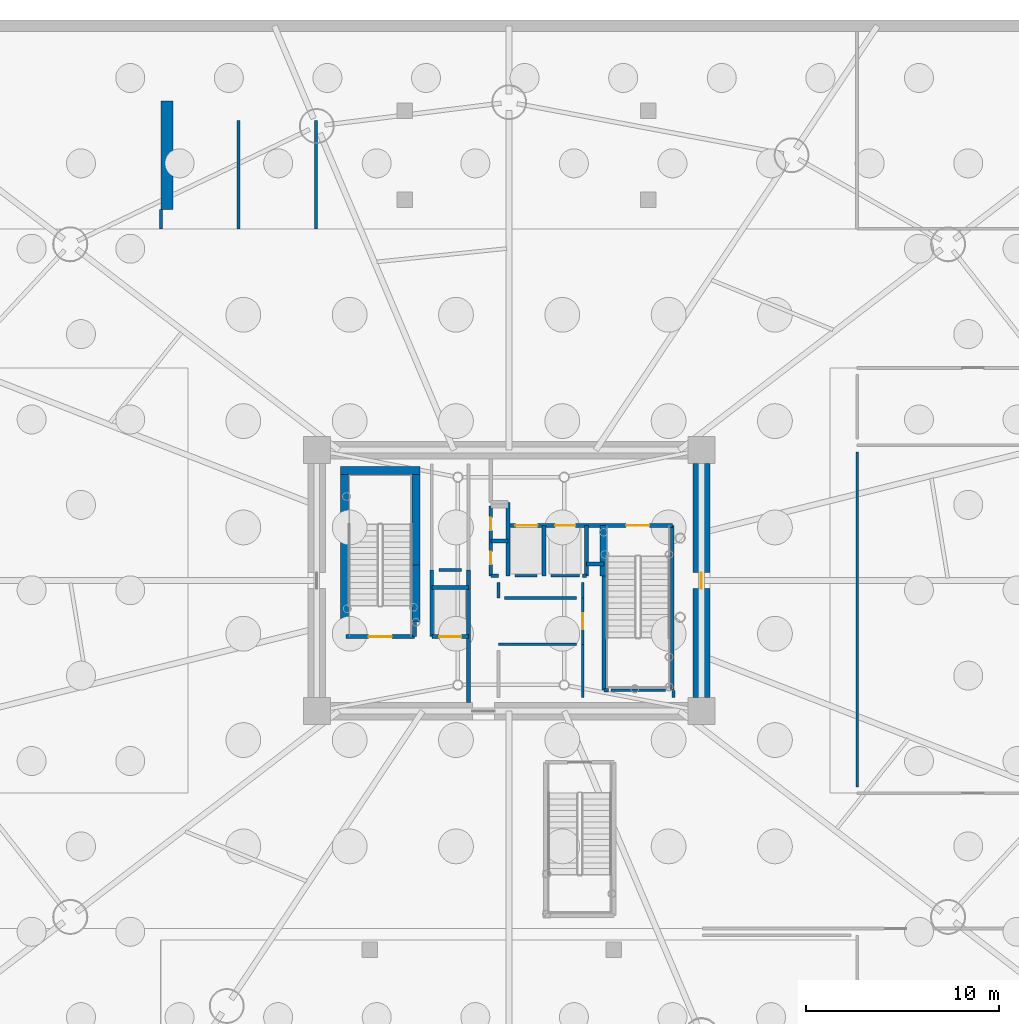
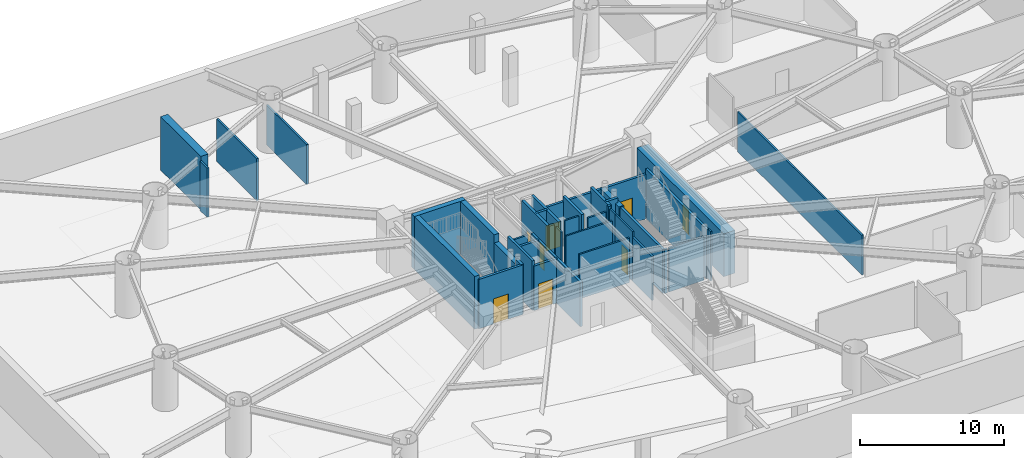
# One storey, part 10 of 18: 40 walls, 9 doors, 9 openings.
"""IFC4 building model written with IfcOpenShell, lengths in metres."""

import ifcopenshell
import ifcopenshell.guid

model = None  # the IFC model being written
_history = None  # IfcOwnerHistory: only IFC2X3 demands one
_inside = {}  # id of a spatial element -> (the spatial element, [elements in it])
_under = {}  # id of a project, library or spatial element -> (it, [spatial elements below it])
_declared = {}  # id of a project -> (the project, [libraries it declares])
_typed = {}  # id of a type object -> (the type object, [elements of that type])
_made_of = {}  # id of a material, layer set ... -> (it, [elements and type objects made of it])


def new_model(schema):
    """Start an empty IFC model of exactly this schema.

    Asked for "IFC4X3", IfcOpenShell would pick the latest addendum, in which some entities
    have other attributes; the version numbers below select the first issue.
    IFC2X3 requires an IfcOwnerHistory on every rooted entity: one is made here for all.
    """
    global model, _history
    if schema == "IFC4X3":
        model = ifcopenshell.file(schema_version=(4, 3, 0, 0))
    else:
        model = ifcopenshell.file(schema=schema)
    _inside.clear()
    _under.clear()
    _declared.clear()
    _typed.clear()
    _made_of.clear()
    _history = None
    if model.schema == "IFC2X3":
        org = make("IfcOrganization", Name="unknown")
        user = make(
            "IfcPersonAndOrganization",
            ThePerson=make("IfcPerson", FamilyName="unknown"),
            TheOrganization=org,
        )
        app = make(
            "IfcApplication",
            ApplicationDeveloper=org,
            Version="unknown",
            ApplicationFullName="unknown",
            ApplicationIdentifier="unknown",
        )
        _history = make(
            "IfcOwnerHistory",
            OwningUser=user,
            OwningApplication=app,
            ChangeAction="ADDED",
            CreationDate=0,
        )
    return model


def make(cls, **values):
    """One entity of the class cls with the attributes given. An attribute that is None is left unset."""
    return model.create_entity(
        cls, **{name: value for name, value in values.items() if value is not None}
    )


def rooted(cls, **values):
    """An entity with a GlobalId (a new one), such as an element, a storey or a relation."""
    return make(cls, GlobalId=ifcopenshell.guid.new(), OwnerHistory=_history, **values)


def si_unit(unit_type, name, prefix=None):
    """IfcSIUnit, for example si_unit("LENGTHUNIT", "METRE", prefix="MILLI")."""
    return make("IfcSIUnit", UnitType=unit_type, Prefix=prefix, Name=name)


def assignment(units):
    """IfcUnitAssignment: the units of a project."""
    return None if units is None else make("IfcUnitAssignment", Units=units)


def point(xyz):
    """IfcCartesianPoint."""
    return None if xyz is None else make("IfcCartesianPoint", Coordinates=xyz)


def direction(xyz):
    """IfcDirection."""
    return None if xyz is None else make("IfcDirection", DirectionRatios=xyz)


def frame(location, z_axis=None, x_axis=None):
    """IfcAxis2Placement3D, a coordinate frame: its origin and axes. An axis left out is left unset."""
    return make(
        "IfcAxis2Placement3D",
        Location=point(location),
        Axis=direction(z_axis),
        RefDirection=direction(x_axis),
    )


def frame_2d(location, x_axis=None):
    """IfcAxis2Placement2D, a coordinate frame in the plane: its origin and x axis."""
    return make(
        "IfcAxis2Placement2D", Location=point(location), RefDirection=direction(x_axis)
    )


def origin():
    """The frame at (0, 0, 0) with its axes left unset."""
    return frame((0.0, 0.0, 0.0))


def origin_2d():
    """The frame at (0, 0) in the plane with its x axis left unset."""
    return frame_2d((0.0, 0.0))


def place(relative_to, where):
    """IfcLocalPlacement: puts the frame where relative to a parent placement (None: the world)."""
    return make(
        "IfcLocalPlacement", PlacementRelTo=relative_to, RelativePlacement=where
    )


def context(
    kind, dimensions, precision=None, world=None, true_north=None, identifier=None
):
    """IfcGeometricRepresentationContext, for example the 3D "Model" context."""
    return make(
        "IfcGeometricRepresentationContext",
        ContextIdentifier=identifier,
        ContextType=kind,
        CoordinateSpaceDimension=dimensions,
        Precision=precision,
        WorldCoordinateSystem=world,
        TrueNorth=true_north,
    )


def subcontext(parent, identifier, kind, view, scale=None):
    """IfcGeometricRepresentationSubContext, for example "Body" below "Model"."""
    return make(
        "IfcGeometricRepresentationSubContext",
        ContextIdentifier=identifier,
        ContextType=kind,
        ParentContext=parent,
        TargetScale=scale,
        TargetView=view,
    )


def project(units=None, contexts=None):
    """IfcProject with its units and contexts."""
    return rooted(
        "IfcProject",
        Name="project",
        RepresentationContexts=contexts,
        UnitsInContext=assignment(units),
    )


def spatial(cls, under=None, at=None, **own):
    """A site, building, storey or space (cls), placed at a placement, below another one or the project."""
    s = rooted(cls, ObjectPlacement=at, **own)
    if under is not None:
        _under.setdefault(under.id(), (under, []))[1].append(s)
    return s


def profile(cls, at=None, kind="AREA", **sizes):
    """A parametric profile (cls). Its sizes go by their IFC names, for example OverallWidth=200.0."""
    return make(cls, ProfileType=kind, Position=at, **sizes)


def rectangle(**sizes):
    """IfcRectangleProfileDef."""
    return profile("IfcRectangleProfileDef", **sizes)


def extrude(swept, where, along, depth):
    """IfcExtrudedAreaSolid: the profile swept, set in the frame where, extruded along a direction by depth."""
    return make(
        "IfcExtrudedAreaSolid",
        SweptArea=swept,
        Position=where,
        ExtrudedDirection=direction(along),
        Depth=depth,
    )


def shape(context_of_items, identifier, shape_type, items):
    """IfcShapeRepresentation: the items that make up one representation, for example the "Body"."""
    return make(
        "IfcShapeRepresentation",
        ContextOfItems=context_of_items,
        RepresentationIdentifier=identifier,
        RepresentationType=shape_type,
        Items=items,
    )


def source(mapping_origin, context_of_items, identifier, shape_type, items):
    """IfcRepresentationMap: a shape defined once, which mapped items show again and again."""
    return make(
        "IfcRepresentationMap",
        MappingOrigin=mapping_origin,
        MappedRepresentation=shape(context_of_items, identifier, shape_type, items),
    )


def transform(
    local_origin,
    x_axis=None,
    y_axis=None,
    z_axis=None,
    scale=None,
    scale2=None,
    scale3=None,
    uniform=True,
):
    """IfcCartesianTransformationOperator3D, or its non-uniform kind. x_axis, y_axis, z_axis: its Axis1, 2, 3."""
    if uniform:
        return make(
            "IfcCartesianTransformationOperator3D",
            Axis1=direction(x_axis),
            Axis2=direction(y_axis),
            LocalOrigin=point(local_origin),
            Scale=scale,
            Axis3=direction(z_axis),
        )
    return make(
        "IfcCartesianTransformationOperator3DnonUniform",
        Axis1=direction(x_axis),
        Axis2=direction(y_axis),
        LocalOrigin=point(local_origin),
        Scale=scale,
        Axis3=direction(z_axis),
        Scale2=scale2,
        Scale3=scale3,
    )


def mapped(mapping_source, mapping_target):
    """IfcMappedItem: shows the shape of a source again, moved by a transform."""
    return make(
        "IfcMappedItem", MappingSource=mapping_source, MappingTarget=mapping_target
    )


def material(Name=None, Category=None):
    """IfcMaterial."""
    return make("IfcMaterial", Name=Name, Category=Category)


def layer(
    of_material, thickness, ventilated=None, Name=None, Category=None, Priority=None
):
    """IfcMaterialLayer: one layer of a wall or slab, of a material (None: an air gap)."""
    return make(
        "IfcMaterialLayer",
        Material=of_material,
        LayerThickness=thickness,
        IsVentilated=ventilated,
        Name=Name,
        Category=Category,
        Priority=Priority,
    )


def layer_set(layers, Name=None):
    """IfcMaterialLayerSet."""
    return make("IfcMaterialLayerSet", MaterialLayers=layers, LayerSetName=Name)


def made_of(thing, what):
    """Note that an element or type object is made of a material, layer set ...; save() writes the relation."""
    if what is not None:
        _made_of.setdefault(what.id(), (what, []))[1].append(thing)
    return thing


def type_object(cls, material=None, **own):
    """A type object (cls), such as IfcWallType, which elements share."""
    return made_of(rooted(cls, **own), material)


def element(
    cls,
    number,
    at=None,
    inside=None,
    cuts=None,
    type_object=None,
    material=None,
    context=None,
    identifier="Body",
    shape_type=None,
    held_by="IfcProductDefinitionShape",
    body=None,
    shapes=None,
    **own,
):
    """One element of the class cls, such as IfcWall. Its Tag is "e" and its number.

    at: its placement. inside: the storey or other place that contains it. cuts: it is an
    opening in that element (IfcRelVoidsElement). A single representation is given by context,
    identifier, shape_type and body (its items); several are given by shapes. held_by: the class
    of the entity that holds the representations. save() writes the other relations.
    """
    e = rooted(cls, Tag="e%d" % number, ObjectPlacement=at, **own)
    if body is not None:
        shapes = [shape(context, identifier, shape_type, body)]
    if shapes is not None:
        e.Representation = make(held_by, Representations=shapes)
    if inside is not None:
        _inside.setdefault(inside.id(), (inside, []))[1].append(e)
    if cuts is not None:
        rooted(
            "IfcRelVoidsElement", RelatingBuildingElement=cuts, RelatedOpeningElement=e
        )
    if type_object is not None:
        _typed.setdefault(type_object.id(), (type_object, []))[1].append(e)
    return made_of(e, material)


def fill(opening, filler):
    """IfcRelFillsElement: the door or window that sits in an opening."""
    return rooted(
        "IfcRelFillsElement",
        RelatingOpeningElement=opening,
        RelatedBuildingElement=filler,
    )


def aggregate(whole, parts):
    """IfcRelAggregates: a whole, such as a stair, and the parts it consists of."""
    return rooted("IfcRelAggregates", RelatingObject=whole, RelatedObjects=parts)


def save(model, path):
    """Write the relations noted so far, then the file.

    IfcRelAggregates (storeys below a building ...), IfcRelContainedInSpatialStructure (elements
    in a storey), IfcRelDefinesByType, IfcRelAssociatesMaterial and IfcRelDeclares: one each for
    every whole, place, type object, material and project.
    """
    for whole, parts in _under.values():
        aggregate(whole, parts)
    for where, things in _inside.values():
        rooted(
            "IfcRelContainedInSpatialStructure",
            RelatedElements=things,
            RelatingStructure=where,
        )
    for kind, things in _typed.values():
        rooted("IfcRelDefinesByType", RelatedObjects=things, RelatingType=kind)
    for what, things in _made_of.values():
        rooted("IfcRelAssociatesMaterial", RelatedObjects=things, RelatingMaterial=what)
    for by, libraries in _declared.values():
        rooted("IfcRelDeclares", RelatingContext=by, RelatedDefinitions=libraries)
    model.write(path)


model = new_model("IFC4")

# Units and contexts
model_context = context("Model", 3, precision=1e-05, world=origin(), true_north=direction((0.0, 1.0)))
body_context = subcontext(model_context, "Body", "Model", "MODEL_VIEW")
ifc_project = project(units=[si_unit("LENGTHUNIT", "METRE"), si_unit("AREAUNIT", "SQUARE_METRE"), si_unit("VOLUMEUNIT", "CUBIC_METRE"), si_unit("PLANEANGLEUNIT", "RADIAN"), si_unit("MASSUNIT", "GRAM", prefix="KILO")], contexts=[model_context])

# Site, building, storey
site_placement = place(None, origin())
site = spatial("IfcSite", under=ifc_project, at=site_placement, CompositionType="ELEMENT")
building_placement = place(site_placement, origin())
building = spatial("IfcBuilding", under=site, at=building_placement, Name="Linh Dai School and Residence Tower", CompositionType="ELEMENT")
storey_placement = place(building_placement, frame((0.0, 0.0, -9.0)))
storey = spatial("IfcBuildingStorey", under=building, at=storey_placement, Name="B02", CompositionType="ELEMENT", Elevation=-9.0)

# Wall, opening, door
ifc_material_1 = material(Name="Autoclaved Aerated Concrete Blockwork", Category="masonry")
ifc_layer_1 = layer(ifc_material_1, 0.135009765625)
ifc_layer_set_1 = layer_set([ifc_layer_1], Name="Autoclaved Aerated Concrete Blockwork")
wall_type_1 = type_object("IfcWallType", Name="IW-CORR-135-EI90", PredefinedType="PARTITIONING", material=ifc_layer_set_1)
wall_1_placement = place(storey_placement, frame((39.800048828125, 23.699951171875, 0.0), z_axis=(0.0, 0.0, 1.0), x_axis=(0.0, 1.0, 0.0)))
wall_1 = element("IfcWall", 1, at=wall_1_placement, inside=storey, type_object=wall_type_1, Name="B02 Interior Partition Wall 023", PredefinedType="PARTITIONING", context=body_context, shape_type="SweptSolid", body=[
    extrude(rectangle(XDim=2.400146484375, YDim=0.135009765625, at=frame_2d((1.2001953125, 0.0))), origin(), (0.0, 0.0, 1.0), 4.199951171875),
])
opening_1_placement = place(wall_1_placement, frame((0.7900390625, 0.0, 0.0)))
opening_1 = element("IfcOpeningElement", 2, at=opening_1_placement, cuts=wall_1, Name="Opening D06", PredefinedType="OPENING", context=body_context, shape_type="SweptSolid", body=[
    extrude(rectangle(XDim=0.820068359375, YDim=2.10009765625, at=origin_2d()), frame((0.41015625, 0.07763671875, 1.050048828125), z_axis=(0.0, -1.0, 0.0), x_axis=(1.0, 0.0, 0.0)), (0.0, 0.0, 1.0), 0.155029296875),
])
ifc_material_2 = material(Name="Moisture-Resistant Timber Bathroom Door", Category="wood")
door_type_1 = type_object("IfcDoorType", Name="DR-WET-820x2100", OperationType="NOTDEFINED", PredefinedType="DOOR", material=ifc_material_2)
shared_shape_1 = source(origin(), body_context, "Body", "SweptSolid", [
    extrude(rectangle(XDim=0.820068359375, YDim=2.10009765625, at=origin_2d()), frame((0.41015625, 0.02490234375, 1.050048828125), z_axis=(0.0, -1.0, 0.0), x_axis=(1.0, 0.0, 0.0)), (0.0, 0.0, 1.0), 0.050048828125),
])
door_1_placement = place(opening_1_placement, origin())
door_1 = element("IfcDoor", 3, at=door_1_placement, inside=storey, type_object=door_type_1, Name="B02 Core Housekeeping Store Door", OperationType="SINGLE_SWING_RIGHT", OverallHeight=2.10009765625, OverallWidth=0.820068359375, PredefinedType="DOOR", context=body_context, shape_type="MappedRepresentation", body=[
    mapped(shared_shape_1, transform((0.0, 0.0, 0.0), x_axis=(1.0, 0.0, 0.0), y_axis=(0.0, 1.0, 0.0), z_axis=(0.0, 0.0, 1.0), scale=1.0)),
])
fill(opening_1, door_1)

# Walls
wall_2_placement = place(storey_placement, frame((44.080078125, 21.330078125, 0.0), z_axis=(0.0, 0.0, 1.0), x_axis=(-1.0, 0.0, 0.0)))
element("IfcWall", 4, at=wall_2_placement, inside=storey, type_object=wall_type_1, Name="B02 Interior Partition Wall 041", PredefinedType="PARTITIONING", context=body_context, shape_type="SweptSolid", body=[
    extrude(rectangle(XDim=2.820068359375, YDim=0.135009765625, at=frame_2d((1.41015625, 0.0))), origin(), (0.0, 0.0, 1.0), 3.735107421875),
])
wall_3_placement = place(storey_placement, frame((37.43994140625, 27.25, 0.0), z_axis=(0.0, 0.0, 1.0), x_axis=(-1.0, 0.0, 0.0)))
element("IfcWall", 5, at=wall_3_placement, inside=storey, type_object=wall_type_1, Name="B02 Interior Partition Wall 042", PredefinedType="PARTITIONING", context=body_context, shape_type="SweptSolid", body=[
    extrude(rectangle(XDim=1.1298828125, YDim=0.135009765625, at=frame_2d((0.56494140625, 0.0))), origin(), (0.0, 0.0, 1.0), 4.199951171875),
])
wall_4_placement = place(storey_placement, frame((39.639892578125, 27.25, 0.0), z_axis=(0.0, 0.0, 1.0), x_axis=(-1.0, 0.0, 0.0)))
element("IfcWall", 6, at=wall_4_placement, inside=storey, type_object=wall_type_1, Name="B02 Interior Partition Wall 043", PredefinedType="PARTITIONING", context=body_context, shape_type="SweptSolid", body=[
    extrude(rectangle(XDim=1.47998046875, YDim=0.135009765625, at=frame_2d((0.739990234375, 0.0))), origin(), (0.0, 0.0, 1.0), 3.784912109375),
])
wall_5_placement = place(storey_placement, frame((32.360107421875, 27.550048828125, 0.0), z_axis=(0.0, 0.0, 1.0), x_axis=(1.0, 0.0, 0.0)))
element("IfcWall", 7, at=wall_5_placement, inside=storey, type_object=wall_type_1, Name="B02 Interior Partition Wall 044", PredefinedType="PARTITIONING", context=body_context, shape_type="SweptSolid", body=[
    extrude(rectangle(XDim=1.179931640625, YDim=0.135009765625, at=frame_2d((0.58984375, 0.0))), origin(), (0.0, 0.0, 1.0), 3.784912109375),
])
wall_6_placement = place(storey_placement, frame((39.800048828125, 20.9599609375, 0.0), z_axis=(0.0, 0.0, 1.0), x_axis=(0.0, 1.0, 0.0)))
element("IfcWall", 8, at=wall_6_placement, inside=storey, type_object=wall_type_1, Name="B02 Interior Partition Wall 045", PredefinedType="PARTITIONING", context=body_context, shape_type="SweptSolid", body=[
    extrude(rectangle(XDim=2.72998046875, YDim=0.135009765625, at=frame_2d((1.364990234375, 0.0))), origin(), (0.0, 0.0, 1.0), 3.735107421875),
])
wall_7_placement = place(storey_placement, frame((39.800048828125, 26.110107421875, 0.0), z_axis=(0.0, 0.0, 1.0), x_axis=(0.0, 1.0, 0.0)))
element("IfcWall", 9, at=wall_7_placement, inside=storey, type_object=wall_type_1, Name="B02 Interior Partition Wall 046", PredefinedType="PARTITIONING", context=body_context, shape_type="SweptSolid", body=[
    extrude(rectangle(XDim=0.77978515625, YDim=0.135009765625, at=frame_2d((0.389892578125, 0.0))), origin(), (0.0, 0.0, 1.0), 4.199951171875),
])
wall_8_placement = place(storey_placement, frame((44.5, 20.9599609375, 0.0), z_axis=(0.0, 0.0, 1.0), x_axis=(0.0, 1.0, 0.0)))
element("IfcWall", 10, at=wall_8_placement, inside=storey, type_object=wall_type_1, Name="B02 Interior Partition Wall 048", PredefinedType="PARTITIONING", context=body_context, shape_type="SweptSolid", body=[
    extrude(rectangle(XDim=0.360107421875, YDim=0.135009765625, at=frame_2d((0.18017578125, 0.0))), origin(), (0.0, 0.0, 1.0), 4.199951171875),
])
wall_9_placement = place(storey_placement, frame((35.449951171875, 26.889892578125, 0.0), z_axis=(0.0, 0.0, 1.0), x_axis=(0.0, -1.0, 0.0)))
element("IfcWall", 11, at=wall_9_placement, inside=storey, type_object=wall_type_1, Name="B02 Interior Partition Wall 049", PredefinedType="PARTITIONING", context=body_context, shape_type="SweptSolid", body=[
    extrude(rectangle(XDim=0.789794921875, YDim=0.135009765625, at=frame_2d((0.39501953125, 0.0))), origin(), (0.0, 0.0, 1.0), 4.199951171875),
])
wall_10_placement = place(storey_placement, frame((35.757568359375, 26.10009765625, 0.0), z_axis=(0.0, 0.0, 1.0), x_axis=(1.0, 0.0, 0.0)))
element("IfcWall", 12, at=wall_10_placement, inside=storey, type_object=wall_type_1, Name="B02 Interior Partition Wall 050", PredefinedType="PARTITIONING", context=body_context, shape_type="SweptSolid", body=[
    extrude(rectangle(XDim=3.71484375, YDim=0.135009765625, at=frame_2d((1.857421875, 0.0))), origin(), (0.0, 0.0, 1.0), 3.784912109375),
])
wall_11_placement = place(storey_placement, frame((39.472412109375, 23.699951171875, 0.0), z_axis=(0.0, 0.0, 1.0), x_axis=(-1.0, 0.0, 0.0)))
element("IfcWall", 13, at=wall_11_placement, inside=storey, type_object=wall_type_1, Name="B02 Interior Partition Wall 051", PredefinedType="PARTITIONING", context=body_context, shape_type="SweptSolid", body=[
    extrude(rectangle(XDim=4.0224609375, YDim=0.135009765625, at=frame_2d((2.01123046875, 0.0))), origin(), (0.0, 0.0, 1.0), 3.784912109375),
])
wall_12_placement = place(storey_placement, frame((54.0, 16.327392578125, 0.0), z_axis=(0.0, 0.0, 1.0), x_axis=(0.0, 1.0, 0.0)))
element("IfcWall", 14, at=wall_12_placement, inside=storey, type_object=wall_type_1, Name="B02 Interior Partition Wall 057", PredefinedType="PARTITIONING", context=body_context, shape_type="SweptSolid", body=[
    extrude(rectangle(XDim=17.337646484375, YDim=0.135009765625, at=frame_2d((8.6689453125, 0.0))), origin(), (0.0, 0.0, 1.0), 3.385009765625),
])
ifc_layer_2 = layer(ifc_material_1, 0.14990234375)
ifc_layer_set_2 = layer_set([ifc_layer_2], Name="Autoclaved Aerated Concrete Blockwork")
wall_type_2 = type_object("IfcWallType", Name="IW-SCH-150-EI60", PredefinedType="PARTITIONING", material=ifc_layer_set_2)
wall_13_placement = place(storey_placement, frame((18.0, 45.199951171875, 0.0), z_axis=(0.0, 0.0, 1.0), x_axis=(0.0, 1.0, 0.0)))
element("IfcWall", 15, at=wall_13_placement, inside=storey, type_object=wall_type_2, Name="B02 Interior Partition Wall 002", PredefinedType="PARTITIONING", context=body_context, shape_type="SweptSolid", body=[
    extrude(rectangle(XDim=0.989990234375, YDim=0.14990234375, at=frame_2d((0.4951171875, 0.0))), origin(), (0.0, 0.0, 1.0), 4.199951171875),
])
wall_14_placement = place(storey_placement, frame((22.0, 45.199951171875, 0.0), z_axis=(0.0, 0.0, 1.0), x_axis=(0.0, 1.0, 0.0)))
element("IfcWall", 16, at=wall_14_placement, inside=storey, type_object=wall_type_2, Name="B02 Interior Partition Wall 003", PredefinedType="PARTITIONING", context=body_context, shape_type="SweptSolid", body=[
    extrude(rectangle(XDim=5.60009765625, YDim=0.14990234375, at=frame_2d((2.800048828125, 0.0))), origin(), (0.0, 0.0, 1.0), 3.5849609375),
])
wall_15_placement = place(storey_placement, frame((26.0, 45.199951171875, 0.0), z_axis=(0.0, 0.0, 1.0), x_axis=(0.0, 1.0, 0.0)))
element("IfcWall", 17, at=wall_15_placement, inside=storey, type_object=wall_type_2, Name="B02 Interior Partition Wall 004", PredefinedType="PARTITIONING", context=body_context, shape_type="SweptSolid", body=[
    extrude(rectangle(XDim=5.60009765625, YDim=0.14990234375, at=frame_2d((2.800048828125, 0.0))), origin(), (0.0, 0.0, 1.0), 3.385009765625),
])

# Wall, opening, door
ifc_material_3 = material(Name="Concrete B45 (C35/45)", Category="concrete")
ifc_layer_3 = layer(ifc_material_3, 0.199951171875)
ifc_layer_set_3 = layer_set([ifc_layer_3], Name="Concrete B45 (C35/45)")
wall_type_3 = type_object("IfcWallType", Name="IW-SHAFT-200-EI120", PredefinedType="PARTITIONING", material=ifc_layer_set_3)
wall_16_placement = place(storey_placement, frame((27.56005859375, 24.10009765625, 0.0), z_axis=(0.0, 0.0, 1.0), x_axis=(1.0, 0.0, 0.0)))
wall_16 = element("IfcWall", 18, at=wall_16_placement, inside=storey, type_object=wall_type_3, Name="B02 Interior Partition Wall 005", PredefinedType="PARTITIONING", context=body_context, shape_type="SweptSolid", body=[
    extrude(rectangle(XDim=3.5400390625, YDim=0.199951171875, at=frame_2d((1.77001953125, 0.0))), origin(), (0.0, 0.0, 1.0), 4.199951171875),
])
opening_2_placement = place(wall_16_placement, frame((1.169921875, 0.0, 0.0)))
opening_2 = element("IfcOpeningElement", 19, at=opening_2_placement, cuts=wall_16, Name="Opening D01", PredefinedType="OPENING", context=body_context, shape_type="SweptSolid", body=[
    extrude(rectangle(XDim=1.199951171875, YDim=2.14990234375, at=origin_2d()), frame((0.60009765625, 0.10986328125, 1.074951171875), z_axis=(0.0, -1.0, 0.0), x_axis=(1.0, 0.0, 0.0)), (0.0, 0.0, 1.0), 0.219970703125),
])
ifc_material_4 = material(Name="Fire-Rated Steel Door Leaf", Category="steel")
door_type_2 = type_object("IfcDoorType", Name="DR-STAIR-1200x2150-FD90S", OperationType="NOTDEFINED", PredefinedType="DOOR", material=ifc_material_4)
shared_shape_2 = source(origin(), body_context, "Body", "SweptSolid", [
    extrude(rectangle(XDim=1.199951171875, YDim=2.14990234375, at=origin_2d()), frame((0.60009765625, 0.02490234375, 1.074951171875), z_axis=(0.0, -1.0, 0.0), x_axis=(1.0, 0.0, 0.0)), (0.0, 0.0, 1.0), 0.050048828125),
])
door_2_placement = place(opening_2_placement, origin())
door_2 = element("IfcDoor", 20, at=door_2_placement, inside=storey, type_object=door_type_2, Name="B02 Core Smokeproof Exit Stair ST1 Door", OperationType="SINGLE_SWING_LEFT", OverallHeight=2.14990234375, OverallWidth=1.199951171875, PredefinedType="DOOR", context=body_context, shape_type="MappedRepresentation", body=[
    mapped(shared_shape_2, transform((0.0, 0.0, 0.0), x_axis=(1.0, 0.0, 0.0), y_axis=(0.0, 1.0, 0.0), z_axis=(0.0, 0.0, 1.0), scale=1.0)),
])
fill(opening_2, door_2)

# Walls
wall_17_placement = place(storey_placement, frame((31.10009765625, 24.10009765625, 0.0), z_axis=(0.0, 0.0, 1.0), x_axis=(0.0, 1.0, 0.0)))
element("IfcWall", 21, at=wall_17_placement, inside=storey, type_object=wall_type_3, Name="B02 Interior Partition Wall 006", PredefinedType="PARTITIONING", context=body_context, shape_type="SweptSolid", body=[
    extrude(rectangle(XDim=0.739990234375, YDim=0.199951171875, at=frame_2d((0.3701171875, 0.0))), origin(), (0.0, 0.0, 1.0), 4.199951171875),
])
wall_18_placement = place(storey_placement, frame((32.0, 24.10009765625, 0.0), z_axis=(0.0, 0.0, 1.0), x_axis=(0.0, 1.0, 0.0)))
element("IfcWall", 22, at=wall_18_placement, inside=storey, type_object=wall_type_3, Name="B02 Interior Partition Wall 007", PredefinedType="PARTITIONING", context=body_context, shape_type="SweptSolid", body=[
    extrude(rectangle(XDim=3.449951171875, YDim=0.199951171875, at=frame_2d((1.72509765625, 0.0))), origin(), (0.0, 0.0, 1.0), 4.199951171875),
])

# Wall, opening, door
wall_19_placement = place(storey_placement, frame((32.0, 24.10009765625, 0.0), z_axis=(0.0, 0.0, 1.0), x_axis=(1.0, 0.0, 0.0)))
wall_19 = element("IfcWall", 23, at=wall_19_placement, inside=storey, type_object=wall_type_3, Name="B02 Interior Partition Wall 008", PredefinedType="PARTITIONING", context=body_context, shape_type="SweptSolid", body=[
    extrude(rectangle(XDim=1.89990234375, YDim=0.199951171875, at=frame_2d((0.949951171875, 0.0))), origin(), (0.0, 0.0, 1.0), 3.784912109375),
])
opening_3_placement = place(wall_19_placement, frame((0.375, 0.0, 0.0)))
opening_3 = element("IfcOpeningElement", 24, at=opening_3_placement, cuts=wall_19, Name="Opening LD-FF2", PredefinedType="OPENING", context=body_context, shape_type="SweptSolid", body=[
    extrude(rectangle(XDim=1.14990234375, YDim=2.14990234375, at=origin_2d()), frame((0.574951171875, 0.10986328125, 1.074951171875), z_axis=(0.0, -1.0, 0.0), x_axis=(1.0, 0.0, 0.0)), (0.0, 0.0, 1.0), 0.219970703125),
])
ifc_material_5 = material(Name="Fire-Rated Stainless Steel Firefighting Lift Door", Category="steel")
door_type_3 = type_object("IfcDoorType", Name="DR-LD-FF-1150x2150-FD120", OperationType="DOUBLE_DOOR_SLIDING", PredefinedType="USERDEFINED", material=ifc_material_5)
shared_shape_3 = source(origin(), body_context, "Body", "SweptSolid", [
    extrude(rectangle(XDim=1.14990234375, YDim=2.14990234375, at=origin_2d()), frame((0.574951171875, 0.02490234375, 1.074951171875), z_axis=(0.0, -1.0, 0.0), x_axis=(1.0, 0.0, 0.0)), (0.0, 0.0, 1.0), 0.050048828125),
])
door_3_placement = place(opening_3_placement, origin())
door_3 = element("IfcDoor", 25, at=door_3_placement, inside=storey, type_object=door_type_3, Name="B02 Lift FF2 Sliding Landing Door", ObjectType="LANDING DOOR", OperationType="DOUBLE_DOOR_SLIDING", OverallHeight=2.14990234375, OverallWidth=1.14990234375, PredefinedType="USERDEFINED", context=body_context, shape_type="MappedRepresentation", body=[
    mapped(shared_shape_3, transform((0.0, 0.0, 0.0), x_axis=(1.0, 0.0, 0.0), y_axis=(0.0, 1.0, 0.0), z_axis=(0.0, 0.0, 1.0), scale=1.0)),
])
fill(opening_3, door_3)

# Walls
wall_20_placement = place(storey_placement, frame((32.0, 26.64990234375, 0.0), z_axis=(0.0, 0.0, 1.0), x_axis=(1.0, 0.0, 0.0)))
element("IfcWall", 26, at=wall_20_placement, inside=storey, type_object=wall_type_3, Name="B02 Interior Partition Wall 009", PredefinedType="PARTITIONING", context=body_context, shape_type="SweptSolid", body=[
    extrude(rectangle(XDim=1.89990234375, YDim=0.199951171875, at=frame_2d((0.949951171875, 0.0))), origin(), (0.0, 0.0, 1.0), 3.784912109375),
])
wall_21_placement = place(storey_placement, frame((33.89990234375, 20.699951171875, 0.0), z_axis=(0.0, 0.0, 1.0), x_axis=(0.0, 1.0, 0.0)))
element("IfcWall", 27, at=wall_21_placement, inside=storey, type_object=wall_type_3, Name="B02 Interior Partition Wall 010", PredefinedType="PARTITIONING", context=body_context, shape_type="SweptSolid", body=[
    extrude(rectangle(XDim=6.85009765625, YDim=0.199951171875, at=frame_2d((3.425048828125, 0.0))), origin(), (0.0, 0.0, 1.0), 3.784912109375),
])

# Wall, openings, doors
wall_22_placement = place(storey_placement, frame((35.050048828125, 27.25, 0.0), z_axis=(0.0, 0.0, 1.0), x_axis=(0.0, 1.0, 0.0)))
wall_22 = element("IfcWall", 28, at=wall_22_placement, inside=storey, type_object=wall_type_3, Name="B02 Interior Partition Wall 011", PredefinedType="PARTITIONING", context=body_context, shape_type="SweptSolid", body=[
    extrude(rectangle(XDim=3.60009765625, YDim=0.199951171875, at=frame_2d((1.800048828125, 0.0))), origin(), (0.0, 0.0, 1.0), 4.199951171875),
])
opening_4_placement = place(wall_22_placement, frame((0.590087890625, 0.0, 0.0)))
opening_4 = element("IfcOpeningElement", 29, at=opening_4_placement, cuts=wall_22, Name="Opening AD1", PredefinedType="OPENING", context=body_context, shape_type="SweptSolid", body=[
    extrude(rectangle(XDim=0.659912109375, YDim=2.050048828125, at=origin_2d()), frame((0.330078125, 0.10986328125, 1.02490234375), z_axis=(0.0, -1.0, 0.0), x_axis=(1.0, 0.0, 0.0)), (0.0, 0.0, 1.0), 0.219970703125),
])
opening_5_placement = place(wall_22_placement, frame((2.35009765625, 0.0, 0.0)))
opening_5 = element("IfcOpeningElement", 30, at=opening_5_placement, cuts=wall_22, Name="Opening AD1", PredefinedType="OPENING", context=body_context, shape_type="SweptSolid", body=[
    extrude(rectangle(XDim=0.659912109375, YDim=2.050048828125, at=origin_2d()), frame((0.330078125, 0.10986328125, 1.02490234375), z_axis=(0.0, -1.0, 0.0), x_axis=(1.0, 0.0, 0.0)), (0.0, 0.0, 1.0), 0.219970703125),
])
ifc_material_6 = material(Name="Fire-Rated Steel Riser Access Door", Category="steel")
door_type_4 = type_object("IfcDoorType", Name="DR-ACC-660x2050-FD90S", OperationType="NOTDEFINED", PredefinedType="USERDEFINED", material=ifc_material_6)
shared_shape_4 = source(origin(), body_context, "Body", "SweptSolid", [
    extrude(rectangle(XDim=0.659912109375, YDim=2.050048828125, at=origin_2d()), frame((0.330078125, 0.02490234375, 1.02490234375), z_axis=(0.0, -1.0, 0.0), x_axis=(1.0, 0.0, 0.0)), (0.0, 0.0, 1.0), 0.050048828125),
])
door_4_placement = place(opening_4_placement, origin())
door_4 = element("IfcDoor", 31, at=door_4_placement, inside=storey, type_object=door_type_4, Name="B02 Telecom and Data Riser Access Door", ObjectType="ACCESS DOOR", OperationType="SINGLE_SWING_RIGHT", OverallHeight=2.050048828125, OverallWidth=0.659912109375, PredefinedType="USERDEFINED", context=body_context, shape_type="MappedRepresentation", body=[
    mapped(shared_shape_4, transform((0.0, 0.0, 0.0), x_axis=(1.0, 0.0, 0.0), y_axis=(0.0, 1.0, 0.0), z_axis=(0.0, 0.0, 1.0), scale=1.0)),
])
fill(opening_4, door_4)
door_5_placement = place(opening_5_placement, origin())
door_5 = element("IfcDoor", 32, at=door_5_placement, inside=storey, type_object=door_type_4, Name="B02 Mechanical and Plumbing Riser Access Door", ObjectType="ACCESS DOOR", OperationType="SINGLE_SWING_LEFT", OverallHeight=2.050048828125, OverallWidth=0.659912109375, PredefinedType="USERDEFINED", context=body_context, shape_type="MappedRepresentation", body=[
    mapped(shared_shape_4, transform((0.0, 0.0, 0.0), x_axis=(1.0, 0.0, 0.0), y_axis=(0.0, 1.0, 0.0), z_axis=(0.0, 0.0, 1.0), scale=1.0)),
])
fill(opening_5, door_5)

# Walls
wall_23_placement = place(storey_placement, frame((35.050048828125, 27.25, 0.0), z_axis=(0.0, 0.0, 1.0), x_axis=(1.0, 0.0, 0.0)))
element("IfcWall", 33, at=wall_23_placement, inside=storey, type_object=wall_type_3, Name="B02 Interior Partition Wall 012", PredefinedType="PARTITIONING", context=body_context, shape_type="SweptSolid", body=[
    extrude(rectangle(XDim=0.39990234375, YDim=0.199951171875, at=frame_2d((0.199951171875, 0.0))), origin(), (0.0, 0.0, 1.0), 4.199951171875),
])
wall_24_placement = place(storey_placement, frame((35.050048828125, 29.050048828125, 0.0), z_axis=(0.0, 0.0, 1.0), x_axis=(1.0, 0.0, 0.0)))
element("IfcWall", 34, at=wall_24_placement, inside=storey, type_object=wall_type_3, Name="B02 Interior Partition Wall 013", PredefinedType="PARTITIONING", context=body_context, shape_type="SweptSolid", body=[
    extrude(rectangle(XDim=0.89990234375, YDim=0.199951171875, at=frame_2d((0.449951171875, 0.0))), origin(), (0.0, 0.0, 1.0), 4.199951171875),
])
wall_25_placement = place(storey_placement, frame((35.949951171875, 27.25, 0.0), z_axis=(0.0, 0.0, 1.0), x_axis=(0.0, 1.0, 0.0)))
element("IfcWall", 35, at=wall_25_placement, inside=storey, type_object=wall_type_3, Name="B02 Interior Partition Wall 017", PredefinedType="PARTITIONING", context=body_context, shape_type="SweptSolid", body=[
    extrude(rectangle(XDim=3.800048828125, YDim=0.199951171875, at=frame_2d((1.89990234375, 0.0))), origin(), (0.0, 0.0, 1.0), 4.199951171875),
])

# Wall, openings, doors
wall_26_placement = place(storey_placement, frame((35.949951171875, 29.85009765625, 0.0), z_axis=(0.0, 0.0, 1.0), x_axis=(1.0, 0.0, 0.0)))
wall_26 = element("IfcWall", 36, at=wall_26_placement, inside=storey, type_object=wall_type_3, Name="B02 Interior Partition Wall 018", PredefinedType="PARTITIONING", context=body_context, shape_type="SweptSolid", body=[
    extrude(rectangle(XDim=8.489990234375, YDim=0.199951171875, at=frame_2d((4.2451171875, 0.0))), origin(), (0.0, 0.0, 1.0), 3.784912109375),
])
opening_6_placement = place(wall_26_placement, frame((6.10009765625, 0.0, 0.0)))
opening_6 = element("IfcOpeningElement", 37, at=opening_6_placement, cuts=wall_26, Name="Opening D01", PredefinedType="OPENING", context=body_context, shape_type="SweptSolid", body=[
    extrude(rectangle(XDim=1.199951171875, YDim=2.14990234375, at=origin_2d()), frame((0.60009765625, 0.10986328125, 1.074951171875), z_axis=(0.0, -1.0, 0.0), x_axis=(1.0, 0.0, 0.0)), (0.0, 0.0, 1.0), 0.219970703125),
])
opening_7_placement = place(wall_26_placement, frame((0.3701171875, 0.0, 0.0)))
opening_7 = element("IfcOpeningElement", 38, at=opening_7_placement, cuts=wall_26, Name="Opening LD-FF1", PredefinedType="OPENING", context=body_context, shape_type="SweptSolid", body=[
    extrude(rectangle(XDim=1.14990234375, YDim=2.14990234375, at=origin_2d()), frame((0.574951171875, 0.10986328125, 1.074951171875), z_axis=(0.0, -1.0, 0.0), x_axis=(1.0, 0.0, 0.0)), (0.0, 0.0, 1.0), 0.219970703125),
])
opening_8_placement = place(wall_26_placement, frame((2.425048828125, 0.0, 0.0)))
opening_8 = element("IfcOpeningElement", 39, at=opening_8_placement, cuts=wall_26, Name="Opening LD-SV1", PredefinedType="OPENING", context=body_context, shape_type="SweptSolid", body=[
    extrude(rectangle(XDim=1.050048828125, YDim=2.14990234375, at=origin_2d()), frame((0.52490234375, 0.10986328125, 1.074951171875), z_axis=(0.0, -1.0, 0.0), x_axis=(1.0, 0.0, 0.0)), (0.0, 0.0, 1.0), 0.219970703125),
])
door_6_placement = place(opening_6_placement, origin())
door_6 = element("IfcDoor", 40, at=door_6_placement, inside=storey, type_object=door_type_2, Name="B02 Core Smokeproof Exit Stair ST2 Door", OperationType="SINGLE_SWING_RIGHT", OverallHeight=2.14990234375, OverallWidth=1.199951171875, PredefinedType="DOOR", context=body_context, shape_type="MappedRepresentation", body=[
    mapped(shared_shape_2, transform((0.0, 0.0, 0.0), x_axis=(1.0, 0.0, 0.0), y_axis=(0.0, 1.0, 0.0), z_axis=(0.0, 0.0, 1.0), scale=1.0)),
])
fill(opening_6, door_6)
door_7_placement = place(opening_7_placement, origin())
door_7 = element("IfcDoor", 41, at=door_7_placement, inside=storey, type_object=door_type_3, Name="B02 Lift FF1 Sliding Landing Door", ObjectType="LANDING DOOR", OperationType="DOUBLE_DOOR_SLIDING", OverallHeight=2.14990234375, OverallWidth=1.14990234375, PredefinedType="USERDEFINED", context=body_context, shape_type="MappedRepresentation", body=[
    mapped(shared_shape_3, transform((0.0, 0.0, 0.0), x_axis=(1.0, 0.0, 0.0), y_axis=(0.0, 1.0, 0.0), z_axis=(0.0, 0.0, 1.0), scale=1.0)),
])
fill(opening_7, door_7)
ifc_material_7 = material(Name="Brushed Stainless Steel Lift Landing Door", Category="steel")
door_type_5 = type_object("IfcDoorType", Name="DR-LD-PASS-1050x2150", OperationType="DOUBLE_DOOR_SLIDING", PredefinedType="USERDEFINED", material=ifc_material_7)
shared_shape_5 = source(origin(), body_context, "Body", "SweptSolid", [
    extrude(rectangle(XDim=1.050048828125, YDim=2.14990234375, at=origin_2d()), frame((0.52490234375, 0.02490234375, 1.074951171875), z_axis=(0.0, -1.0, 0.0), x_axis=(1.0, 0.0, 0.0)), (0.0, 0.0, 1.0), 0.050048828125),
])
door_8_placement = place(opening_8_placement, origin())
door_8 = element("IfcDoor", 42, at=door_8_placement, inside=storey, type_object=door_type_5, Name="B02 Lift SV1 Sliding Landing Door", ObjectType="LANDING DOOR", OperationType="DOUBLE_DOOR_SLIDING", OverallHeight=2.14990234375, OverallWidth=1.050048828125, PredefinedType="USERDEFINED", context=body_context, shape_type="MappedRepresentation", body=[
    mapped(shared_shape_5, transform((0.0, 0.0, 0.0), x_axis=(1.0, 0.0, 0.0), y_axis=(0.0, 1.0, 0.0), z_axis=(0.0, 0.0, 1.0), scale=1.0)),
])
fill(opening_8, door_8)

# Walls
wall_27_placement = place(storey_placement, frame((37.800048828125, 27.25, 0.0), z_axis=(0.0, 0.0, 1.0), x_axis=(0.0, 1.0, 0.0)))
element("IfcWall", 43, at=wall_27_placement, inside=storey, type_object=wall_type_3, Name="B02 Interior Partition Wall 019", PredefinedType="PARTITIONING", context=body_context, shape_type="SweptSolid", body=[
    extrude(rectangle(XDim=2.60009765625, YDim=0.199951171875, at=frame_2d((1.300048828125, 0.0))), origin(), (0.0, 0.0, 1.0), 4.199951171875),
])
wall_28_placement = place(storey_placement, frame((39.800048828125, 27.25, 0.0), z_axis=(0.0, 0.0, 1.0), x_axis=(1.0, 0.0, 0.0)))
element("IfcWall", 44, at=wall_28_placement, inside=storey, type_object=wall_type_3, Name="B02 Interior Partition Wall 024", PredefinedType="PARTITIONING", context=body_context, shape_type="SweptSolid", body=[
    extrude(rectangle(XDim=0.199951171875, YDim=0.199951171875, at=frame_2d((0.10009765625, 0.0))), origin(), (0.0, 0.0, 1.0), 4.199951171875),
])
wall_29_placement = place(storey_placement, frame((40.0, 27.25, 0.0), z_axis=(0.0, 0.0, 1.0), x_axis=(0.0, 1.0, 0.0)))
element("IfcWall", 45, at=wall_29_placement, inside=storey, type_object=wall_type_3, Name="B02 Interior Partition Wall 025", PredefinedType="PARTITIONING", context=body_context, shape_type="SweptSolid", body=[
    extrude(rectangle(XDim=2.60009765625, YDim=0.199951171875, at=frame_2d((1.300048828125, 0.0))), origin(), (0.0, 0.0, 1.0), 4.199951171875),
])
wall_30_placement = place(storey_placement, frame((40.0, 27.85009765625, 0.0), z_axis=(0.0, 0.0, 1.0), x_axis=(1.0, 0.0, 0.0)))
element("IfcWall", 46, at=wall_30_placement, inside=storey, type_object=wall_type_3, Name="B02 Interior Partition Wall 026", PredefinedType="PARTITIONING", context=body_context, shape_type="SweptSolid", body=[
    extrude(rectangle(XDim=0.89990234375, YDim=0.199951171875, at=frame_2d((0.449951171875, 0.0))), origin(), (0.0, 0.0, 1.0), 4.199951171875),
])
wall_31_placement = place(storey_placement, frame((40.89990234375, 21.330078125, 0.0), z_axis=(0.0, 0.0, 1.0), x_axis=(0.0, 1.0, 0.0)))
element("IfcWall", 47, at=wall_31_placement, inside=storey, type_object=wall_type_3, Name="B02 Interior Partition Wall 027", PredefinedType="PARTITIONING", context=body_context, shape_type="SweptSolid", body=[
    extrude(rectangle(XDim=5.909912109375, YDim=0.199951171875, at=frame_2d((2.955078125, 0.0))), origin(), (0.0, 0.0, 1.0), 3.735107421875),
])
wall_32_placement = place(storey_placement, frame((40.89990234375, 21.330078125, 0.0), z_axis=(0.0, 0.0, 1.0), x_axis=(1.0, 0.0, 0.0)))
element("IfcWall", 48, at=wall_32_placement, inside=storey, type_object=wall_type_3, Name="B02 Interior Partition Wall 028", PredefinedType="PARTITIONING", context=body_context, shape_type="SweptSolid", body=[
    extrude(rectangle(XDim=0.25, YDim=0.199951171875, at=frame_2d((0.125, 0.0))), origin(), (0.0, 0.0, 1.0), 3.735107421875),
])
wall_33_placement = place(storey_placement, frame((44.43994140625, 21.330078125, 0.0), z_axis=(0.0, 0.0, 1.0), x_axis=(0.0, 1.0, 0.0)))
element("IfcWall", 49, at=wall_33_placement, inside=storey, type_object=wall_type_3, Name="B02 Interior Partition Wall 030", PredefinedType="PARTITIONING", context=body_context, shape_type="SweptSolid", body=[
    extrude(rectangle(XDim=8.52001953125, YDim=0.199951171875, at=frame_2d((4.260009765625, 0.0))), origin(), (0.0, 0.0, 1.0), 4.199951171875),
])
ifc_layer_4 = layer(ifc_material_3, 0.39990234375)
ifc_layer_set_4 = layer_set([ifc_layer_4], Name="Concrete B45 (C35/45)")
wall_type_4 = type_object("IfcWallType", Name="WL-CORE400", PredefinedType="SHEAR", material=ifc_layer_set_4)
wall_34_placement = place(storey_placement, frame((27.47998046875, 24.10009765625, 0.0), z_axis=(0.0, 0.0, 1.0), x_axis=(0.0, 1.0, 0.0)))
element("IfcWall", 50, at=wall_34_placement, inside=storey, type_object=wall_type_4, Name="B02 Core Stair ST1 Bearing Wall W", PredefinedType="SHEAR", context=body_context, shape_type="SweptSolid", body=[
    extrude(rectangle(XDim=8.599853515625, YDim=0.39990234375, at=frame_2d((4.2998046875, 0.0))), origin(), (0.0, 0.0, 1.0), 4.5),
])
wall_35_placement = place(storey_placement, frame((31.179931640625, 27.800048828125, 0.0), z_axis=(0.0, 0.0, 1.0), x_axis=(0.0, 1.0, 0.0)))
element("IfcWall", 51, at=wall_35_placement, inside=storey, type_object=wall_type_4, Name="B02 Core Stair ST1 Bearing Wall E", PredefinedType="SHEAR", context=body_context, shape_type="SweptSolid", body=[
    extrude(rectangle(XDim=4.89990234375, YDim=0.39990234375, at=frame_2d((2.449951171875, 0.0))), origin(), (0.0, 0.0, 1.0), 4.5),
])
wall_36_placement = place(storey_placement, frame((27.280029296875, 32.699951171875, 0.0), z_axis=(0.0, 0.0, 1.0), x_axis=(1.0, 0.0, 0.0)))
element("IfcWall", 52, at=wall_36_placement, inside=storey, type_object=wall_type_4, Name="B02 Core Stair ST1 Bearing Wall N", PredefinedType="SHEAR", context=body_context, shape_type="SweptSolid", body=[
    extrude(rectangle(XDim=4.099853515625, YDim=0.39990234375, at=frame_2d((2.0498046875, 0.0))), origin(), (0.0, 0.0, 1.0), 4.5),
])
wall_37_placement = place(storey_placement, frame((31.179931640625, 24.85009765625, 0.0), z_axis=(0.0, 0.0, 1.0), x_axis=(0.0, 1.0, 0.0)))
element("IfcWall", 53, at=wall_37_placement, inside=storey, type_object=wall_type_4, Name="B02 Internal Core Shear Wall IW", PredefinedType="SHEAR", context=body_context, shape_type="SweptSolid", body=[
    extrude(rectangle(XDim=2.949951171875, YDim=0.39990234375, at=frame_2d((1.47509765625, 0.0))), origin(), (0.0, 0.0, 1.0), 3.800048828125),
])
wall_38_placement = place(storey_placement, frame((40.89990234375, 27.25, 0.0), z_axis=(0.0, 0.0, 1.0), x_axis=(0.0, 1.0, 0.0)))
element("IfcWall", 54, at=wall_38_placement, inside=storey, type_object=wall_type_4, Name="B02 Internal Core Shear Wall IE", PredefinedType="SHEAR", context=body_context, shape_type="SweptSolid", body=[
    extrude(rectangle(XDim=2.60009765625, YDim=0.39990234375, at=frame_2d((1.300048828125, 0.0))), origin(), (0.0, 0.0, 1.0), 3.800048828125),
])

# Wall, opening, door
ifc_material_8 = material(Name="Concrete B60 (C50/60)", Category="concrete")
ifc_layer_5 = layer(ifc_material_8, 0.89990234375)
ifc_layer_set_5 = layer_set([ifc_layer_5], Name="Concrete B60 (C50/60)")
wall_type_5 = type_object("IfcWallType", Name="WL-CORE900", PredefinedType="SHEAR", material=ifc_layer_set_5)
wall_39_placement = place(storey_placement, frame((45.949951171875, 33.050048828125, 0.0), z_axis=(0.0, 0.0, 1.0), x_axis=(0.0, -1.0, 0.0)))
wall_39 = element("IfcWall", 55, at=wall_39_placement, inside=storey, type_object=wall_type_5, Name="B02 Central Core Shear Wall E", PredefinedType="SHEAR", context=body_context, shape_type="SweptSolid", body=[
    extrude(rectangle(XDim=12.10009765625, YDim=0.89990234375, at=frame_2d((6.050048828125, 0.0))), origin(), (0.0, 0.0, 1.0), 3.64990234375),
])
opening_9_placement = place(wall_39_placement, frame((5.639892578125, 0.0, 0.0)))
opening_9 = element("IfcOpeningElement", 56, at=opening_9_placement, cuts=wall_39, Name="Opening D06", PredefinedType="OPENING", context=body_context, shape_type="SweptSolid", body=[
    extrude(rectangle(XDim=0.820068359375, YDim=2.10009765625, at=origin_2d()), frame((0.41015625, 0.4599609375, 1.050048828125), z_axis=(0.0, -1.0, 0.0), x_axis=(1.0, 0.0, 0.0)), (0.0, 0.0, 1.0), 0.919921875),
])
door_9_placement = place(opening_9_placement, origin())
door_9 = element("IfcDoor", 57, at=door_9_placement, inside=storey, type_object=door_type_1, Name="B02 Firefighting Lobby Door", OperationType="SINGLE_SWING_LEFT", OverallHeight=2.10009765625, OverallWidth=0.820068359375, PredefinedType="DOOR", context=body_context, shape_type="MappedRepresentation", body=[
    mapped(shared_shape_1, transform((0.0, 0.0, 0.0), x_axis=(1.0, 0.0, 0.0), y_axis=(0.0, 1.0, 0.0), z_axis=(0.0, 0.0, 1.0), scale=1.0)),
])
fill(opening_9, door_9)

# Wall
ifc_layer_6 = layer(ifc_material_3, 0.60009765625)
ifc_layer_set_6 = layer_set([ifc_layer_6], Name="Concrete B45 (C35/45)")
wall_type_6 = type_object("IfcWallType", Name="WL-RET600", PredefinedType="SHEAR", material=ifc_layer_set_6)
wall_40_placement = place(storey_placement, frame((18.300048828125, 46.199951171875, 0.0), z_axis=(0.0, 0.0, 1.0), x_axis=(0.0, 1.0, 0.0)))
element("IfcWall", 58, at=wall_40_placement, inside=storey, type_object=wall_type_6, Name="VR2 Ramp Toe Support Wall B02", PredefinedType="SHEAR", context=body_context, shape_type="SweptSolid", body=[
    extrude(rectangle(XDim=5.60009765625, YDim=0.60009765625, at=frame_2d((2.800048828125, 0.0))), origin(), (0.0, 0.0, 1.0), 4.550048828125),
])

save(model, "model.ifc")
